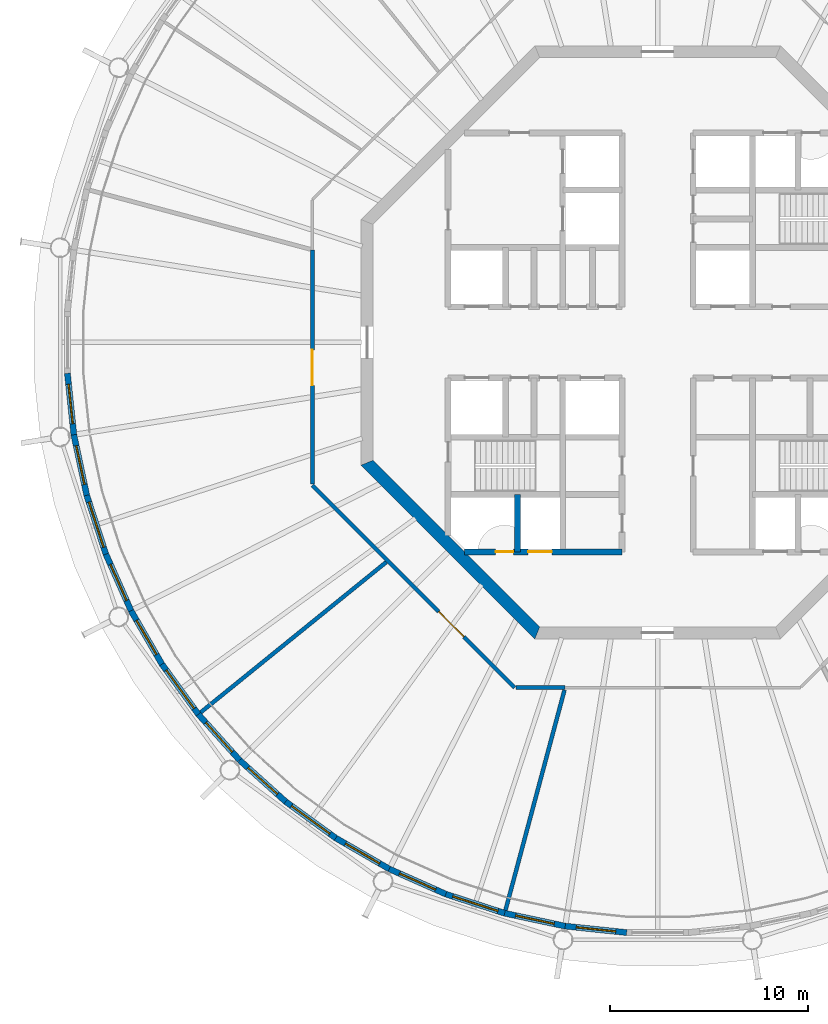
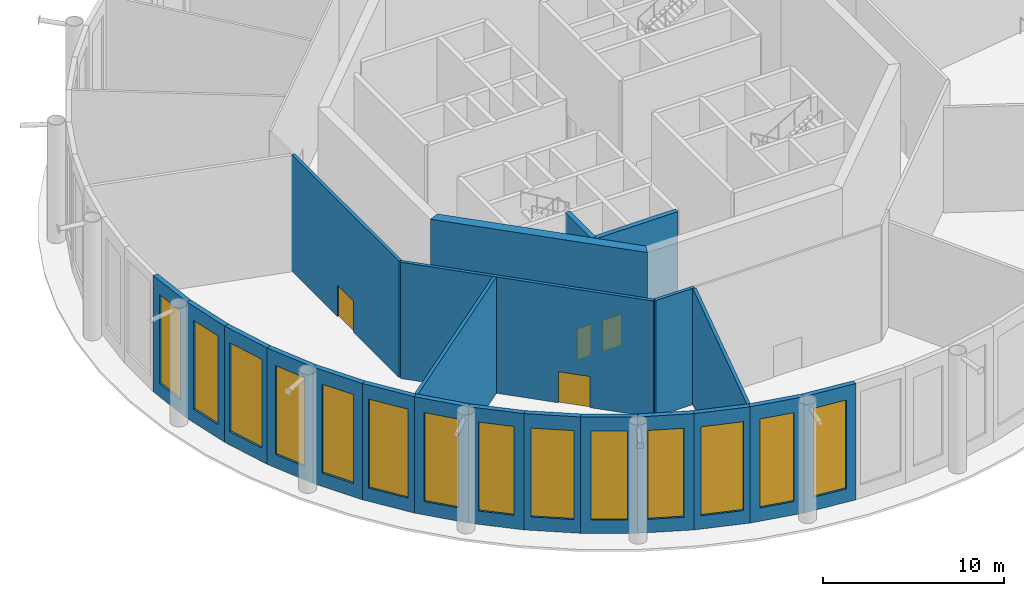
# One storey, part 3 of 17: 22 walls, 14 windows, 4 doors, 18 openings.
"""IFC4 building model written with IfcOpenShell, lengths in metres."""

from ifc_helpers import new_model, si_unit, direction, frame, frame_2d, origin, place, context, subcontext, project, spatial, polyline, rectangle, outline, extrude, material, layer, layer_set, type_object, element, fill, save


model = new_model("IFC4")

# Units and contexts
model_context = context("Model", 3, precision=1e-05, world=origin(), true_north=direction((0.0, 1.0)))
body_context = subcontext(model_context, "Body", "Model", "MODEL_VIEW")
ifc_project = project(units=[si_unit("LENGTHUNIT", "METRE"), si_unit("AREAUNIT", "SQUARE_METRE"), si_unit("VOLUMEUNIT", "CUBIC_METRE"), si_unit("PLANEANGLEUNIT", "RADIAN"), si_unit("MASSUNIT", "GRAM", prefix="KILO")], contexts=[model_context])

# Site, building, storey
site_placement = place(None, origin())
site = spatial("IfcSite", under=ifc_project, at=site_placement, CompositionType="ELEMENT")
building_placement = place(site_placement, origin())
building = spatial("IfcBuilding", under=site, at=building_placement, Name="Entoto Ring Tower", CompositionType="ELEMENT")
storey_placement = place(building_placement, frame((0.0, 0.0, 407.0)))
storey = spatial("IfcBuildingStorey", under=building, at=storey_placement, Name="L93", CompositionType="ELEMENT", Elevation=407.0)

# Wall
ifc_material_1 = material(Name="Concrete C40/50", Category="concrete")
ifc_layer_1 = layer(ifc_material_1, 0.300048828125)
ifc_layer_set_1 = layer_set([ifc_layer_1], Name="Concrete C40/50")
wall_type_1 = type_object("IfcWallType", Name="Core enclosure wall 300 mm reinforced concrete", PredefinedType="SOLIDWALL", material=ifc_layer_set_1)
wall_1_placement = place(storey_placement, frame((82.89990234375, 69.39990234375, 0.0), z_axis=(0.0, 0.0, 1.0), x_axis=(0.0, 1.0, 0.0)))
element("IfcWall", 1, at=wall_1_placement, inside=storey, type_object=wall_type_1, Name="wall-L93-017", PredefinedType="SOLIDWALL", context=body_context, shape_type="SweptSolid", body=[
    extrude(rectangle(XDim=2.900146484375, YDim=0.300048828125, at=frame_2d((1.4501953125, 0.0))), origin(), (0.0, 0.0, 1.0), 7.85009765625),
])

# Wall, openings, doors
wall_2_placement = place(storey_placement, frame((80.2353515625, 69.39990234375, 0.0), z_axis=(0.0, 0.0, 1.0), x_axis=(1.0, 0.0, 0.0)))
wall_2 = element("IfcWall", 2, at=wall_2_placement, inside=storey, type_object=wall_type_1, Name="wall-L93-022", PredefinedType="SOLIDWALL", context=body_context, shape_type="SweptSolid", body=[
    extrude(rectangle(XDim=7.964599609375, YDim=0.300048828125, at=frame_2d((3.982421875, 0.0))), origin(), (0.0, 0.0, 1.0), 7.85009765625),
])
opening_1_placement = place(wall_2_placement, frame((3.214599609375, 0.0, 0.0)))
opening_1 = element("IfcOpeningElement", 3, at=opening_1_placement, cuts=wall_2, Name="Opening LD", PredefinedType="OPENING", context=body_context, shape_type="SweptSolid", body=[
    extrude(rectangle(XDim=1.199951171875, YDim=2.10009765625, at=frame_2d((0.60009765625, 1.050048828125))), frame((0.0, 0.16015625, 0.0), z_axis=(0.0, -1.0, 0.0), x_axis=(1.0, 0.0, 0.0)), (0.0, 0.0, 1.0), 0.320068359375),
])
opening_2_placement = place(wall_2_placement, frame((1.564697265625, 0.0, 0.0)))
opening_2 = element("IfcOpeningElement", 4, at=opening_2_placement, cuts=wall_2, Name="Opening K-32", PredefinedType="OPENING", context=body_context, shape_type="SweptSolid", body=[
    extrude(rectangle(XDim=0.89990234375, YDim=2.10009765625, at=frame_2d((0.449951171875, 1.050048828125))), frame((0.0, 0.16015625, 0.0), z_axis=(0.0, -1.0, 0.0), x_axis=(1.0, 0.0, 0.0)), (0.0, 0.0, 1.0), 0.320068359375),
])
ifc_material_2 = material(Name="Steel and glass door leaf", Category="steel")
ifc_layer_2 = layer(ifc_material_2, 0.050048828125)
ifc_layer_set_2 = layer_set([ifc_layer_2], Name="Steel and glass door leaf")
door_type_1 = type_object("IfcDoorType", Name="Landing door 1200 x 2100 sliding", OperationType="DOUBLE_DOOR_SLIDING", PredefinedType="DOOR", material=ifc_layer_set_2)
door_1_placement = place(opening_1_placement, origin())
door_1 = element("IfcDoor", 5, at=door_1_placement, inside=storey, type_object=door_type_1, Name="Landing door LB3-HR", OperationType="SLIDING_TO_RIGHT", OverallHeight=2.10009765625, OverallWidth=1.199951171875, PredefinedType="DOOR", context=body_context, shape_type="SweptSolid", body=[
    extrude(rectangle(XDim=1.199951171875, YDim=2.10009765625, at=frame_2d((0.60009765625, 1.050048828125))), frame((0.0, 0.02490234375, 0.0), z_axis=(0.0, -1.0, 0.0), x_axis=(1.0, 0.0, 0.0)), (0.0, 0.0, 1.0), 0.050048828125),
])
fill(opening_1, door_1)
ifc_material_3 = material(Name="Steel door leaf, fire rated", Category="steel")
ifc_layer_3 = layer(ifc_material_3, 0.050048828125)
ifc_layer_set_3 = layer_set([ifc_layer_3], Name="Steel door leaf, fire rated")
door_type_2 = type_object("IfcDoorType", Name="Riser door FD60 900 x 2100 single leaf", OperationType="NOTDEFINED", PredefinedType="DOOR", material=ifc_layer_set_3)
door_2_placement = place(opening_2_placement, origin())
door_2 = element("IfcDoor", 6, at=door_2_placement, inside=storey, type_object=door_type_2, Name="Door K-32", OperationType="SINGLE_SWING_RIGHT", OverallHeight=2.10009765625, OverallWidth=0.89990234375, PredefinedType="DOOR", context=body_context, shape_type="SweptSolid", body=[
    extrude(rectangle(XDim=0.89990234375, YDim=2.10009765625, at=frame_2d((0.449951171875, 1.050048828125))), frame((0.0, 0.02490234375, 0.0), z_axis=(0.0, -1.0, 0.0), x_axis=(1.0, 0.0, 0.0)), (0.0, 0.0, 1.0), 0.050048828125),
])
fill(opening_2, door_2)

# Wall
ifc_material_4 = material(Name="Concrete C40/50", Category="concrete")
ifc_layer_4 = layer(ifc_material_4, 0.60009765625)
ifc_layer_set_4 = layer_set([ifc_layer_4], Name="Concrete C40/50")
wall_type_2 = type_object("IfcWallType", Name="Core shear wall 600 mm reinforced concrete C40/50 to roof parapet", PredefinedType="SHEAR", material=ifc_layer_set_4)
wall_3_placement = place(storey_placement, frame((75.300048828125, 73.9111328125, 0.0), z_axis=(0.0, 0.0, 1.0), x_axis=(0.707106781187, -0.707106781187, 0.0)))
element("IfcWall", 7, at=wall_3_placement, inside=storey, type_object=wall_type_2, Name="wall-L93-core-5", PredefinedType="SHEAR", context=body_context, shape_type="SweptSolid", body=[
    extrude(outline(polyline([(-0.124267578125, -0.300048828125), (12.30224609375, -0.300048828125), (12.0537109375, 0.300048828125), (0.124267578125, 0.300048828125), (-0.124267578125, -0.300048828125)])), origin(), (0.0, 0.0, 1.0), 9.199951171875),
])

# Wall, opening, window
ifc_material_5 = material(Name="Insulated aluminium rainscreen on steel studs", Category="steel")
ifc_layer_5 = layer(ifc_material_5, 0.300048828125)
ifc_layer_set_5 = layer_set([ifc_layer_5], Name="Insulated aluminium rainscreen on steel studs")
wall_type_3 = type_object("IfcWallType", Name="Observation facade wall 300 mm", PredefinedType="STANDARD", material=ifc_layer_set_5)
wall_4_placement = place(storey_placement, frame((60.140869140625, 78.43505859375, 0.0), z_axis=(0.0, 0.0, 1.0), x_axis=(0.10453047738, -0.994521683674, 0.0)))
wall_4 = element("IfcWall", 8, at=wall_4_placement, inside=storey, type_object=wall_type_3, Name="OBSERVATION WALL 29", PredefinedType="STANDARD", context=body_context, shape_type="SweptSolid", body=[
    extrude(outline(polyline([(-0.0078125, -0.14990234375), (3.137451171875, -0.14990234375), (3.121826171875, 0.14990234375), (0.0078125, 0.14990234375), (-0.0078125, -0.14990234375)])), origin(), (0.0, 0.0, 1.0), 7.85009765625),
])
opening_3_placement = place(wall_4_placement, frame((0.56494140625, 0.0, 0.89990234375)))
opening_3 = element("IfcOpeningElement", 9, at=opening_3_placement, cuts=wall_4, Name="Opening W2", PredefinedType="OPENING", context=body_context, shape_type="SweptSolid", body=[
    extrude(rectangle(XDim=2.0, YDim=6.0, at=frame_2d((1.0, 3.0))), frame((0.0, 0.16015625, 0.0), z_axis=(0.0, -1.0, 0.0), x_axis=(1.0, 0.0, 0.0)), (0.0, 0.0, 1.0), 0.320068359375),
])
ifc_material_6 = material(Name="Clear low-iron glass in anodised aluminium frame", Category="aluminium")
window_type_1 = type_object("IfcWindowType", Name="Observation window W2 2000 x 6000 mm fixed", PartitioningType="SINGLE_PANEL", PredefinedType="WINDOW", material=ifc_material_6)
window_1_placement = place(opening_3_placement, origin())
window_1 = element("IfcWindow", 10, at=window_1_placement, inside=storey, type_object=window_type_1, Name="OBSERVATION WINDOW 29", OverallHeight=6.0, OverallWidth=2.0, PartitioningType="SINGLE_PANEL", PredefinedType="WINDOW", context=body_context, shape_type="SweptSolid", body=[
    extrude(rectangle(XDim=2.0, YDim=6.0, at=frame_2d((1.0, 3.0))), frame((0.0, 0.030029296875, 0.0), z_axis=(0.0, -1.0, 0.0), x_axis=(1.0, 0.0, 0.0)), (0.0, 0.0, 1.0), 0.06005859375),
])
fill(opening_3, window_1)

wall_5_placement = place(storey_placement, frame((60.468017578125, 75.322509765625, 0.0), z_axis=(0.0, 0.0, 1.0), x_axis=(0.207967911336, -0.978135649005, 0.0)))
wall_5 = element("IfcWall", 11, at=wall_5_placement, inside=storey, type_object=wall_type_3, Name="OBSERVATION WALL 30", PredefinedType="STANDARD", context=body_context, shape_type="SweptSolid", body=[
    extrude(outline(polyline([(-0.0078125, -0.14990234375), (3.137451171875, -0.14990234375), (3.121826171875, 0.14990234375), (0.0078125, 0.14990234375), (-0.0078125, -0.14990234375)])), origin(), (0.0, 0.0, 1.0), 7.85009765625),
])
opening_4_placement = place(wall_5_placement, frame((0.56494140625, 0.0, 0.89990234375)))
opening_4 = element("IfcOpeningElement", 12, at=opening_4_placement, cuts=wall_5, Name="Opening W2", PredefinedType="OPENING", context=body_context, shape_type="SweptSolid", body=[
    extrude(rectangle(XDim=2.0, YDim=6.0, at=frame_2d((1.0, 3.0))), frame((0.0, 0.16015625, 0.0), z_axis=(0.0, -1.0, 0.0), x_axis=(1.0, 0.0, 0.0)), (0.0, 0.0, 1.0), 0.320068359375),
])
window_2_placement = place(opening_4_placement, origin())
window_2 = element("IfcWindow", 13, at=window_2_placement, inside=storey, type_object=window_type_1, Name="OBSERVATION WINDOW 30", OverallHeight=6.0, OverallWidth=2.0, PartitioningType="SINGLE_PANEL", PredefinedType="WINDOW", context=body_context, shape_type="SweptSolid", body=[
    extrude(rectangle(XDim=2.0, YDim=6.0, at=frame_2d((1.0, 3.0))), frame((0.0, 0.030029296875, 0.0), z_axis=(0.0, -1.0, 0.0), x_axis=(1.0, 0.0, 0.0)), (0.0, 0.0, 1.0), 0.06005859375),
])
fill(opening_4, window_2)

wall_6_placement = place(storey_placement, frame((61.118896484375, 72.26123046875, 0.0), z_axis=(0.0, 0.0, 1.0), x_axis=(0.309010219079, -0.951058717696, 0.0)))
wall_6 = element("IfcWall", 14, at=wall_6_placement, inside=storey, type_object=wall_type_3, Name="OBSERVATION WALL 31", PredefinedType="STANDARD", context=body_context, shape_type="SweptSolid", body=[
    extrude(outline(polyline([(-0.0078125, -0.14990234375), (3.13720703125, -0.14990234375), (3.12158203125, 0.14990234375), (0.0078125, 0.14990234375), (-0.0078125, -0.14990234375)])), origin(), (0.0, 0.0, 1.0), 7.85009765625),
])
opening_5_placement = place(wall_6_placement, frame((0.36474609375, 0.0, 0.89990234375)))
opening_5 = element("IfcOpeningElement", 15, at=opening_5_placement, cuts=wall_6, Name="Opening W1", PredefinedType="OPENING", context=body_context, shape_type="SweptSolid", body=[
    extrude(rectangle(XDim=2.39990234375, YDim=6.0, at=frame_2d((1.199951171875, 3.0))), frame((0.0, 0.16015625, 0.0), z_axis=(0.0, -1.0, 0.0), x_axis=(1.0, 0.0, 0.0)), (0.0, 0.0, 1.0), 0.320068359375),
])
ifc_material_7 = material(Name="Clear low-iron glass in anodised aluminium frame", Category="aluminium")
window_type_2 = type_object("IfcWindowType", Name="Observation window W1 2400 x 6000 mm fixed", PartitioningType="SINGLE_PANEL", PredefinedType="WINDOW", material=ifc_material_7)
window_3_placement = place(opening_5_placement, origin())
window_3 = element("IfcWindow", 16, at=window_3_placement, inside=storey, type_object=window_type_2, Name="OBSERVATION WINDOW 31", OverallHeight=6.0, OverallWidth=2.39990234375, PartitioningType="SINGLE_PANEL", PredefinedType="WINDOW", context=body_context, shape_type="SweptSolid", body=[
    extrude(rectangle(XDim=2.39990234375, YDim=6.0, at=frame_2d((1.199951171875, 3.0))), frame((0.0, 0.030029296875, 0.0), z_axis=(0.0, -1.0, 0.0), x_axis=(1.0, 0.0, 0.0)), (0.0, 0.0, 1.0), 0.06005859375),
])
fill(opening_5, window_3)

wall_7_placement = place(storey_placement, frame((62.0859375, 69.284912109375, 0.0), z_axis=(0.0, 0.0, 1.0), x_axis=(0.406731881889, -0.913547577445, 0.0)))
wall_7 = element("IfcWall", 17, at=wall_7_placement, inside=storey, type_object=wall_type_3, Name="OBSERVATION WALL 32", PredefinedType="STANDARD", context=body_context, shape_type="SweptSolid", body=[
    extrude(outline(polyline([(-0.0078125, -0.14990234375), (3.137451171875, -0.14990234375), (3.121826171875, 0.14990234375), (0.0078125, 0.14990234375), (-0.0078125, -0.14990234375)])), origin(), (0.0, 0.0, 1.0), 7.85009765625),
])
opening_6_placement = place(wall_7_placement, frame((0.56494140625, 0.0, 0.89990234375)))
opening_6 = element("IfcOpeningElement", 18, at=opening_6_placement, cuts=wall_7, Name="Opening W2", PredefinedType="OPENING", context=body_context, shape_type="SweptSolid", body=[
    extrude(rectangle(XDim=2.0, YDim=6.0, at=frame_2d((1.0, 3.0))), frame((0.0, 0.16015625, 0.0), z_axis=(0.0, -1.0, 0.0), x_axis=(1.0, 0.0, 0.0)), (0.0, 0.0, 1.0), 0.320068359375),
])
window_4_placement = place(opening_6_placement, origin())
window_4 = element("IfcWindow", 19, at=window_4_placement, inside=storey, type_object=window_type_1, Name="OBSERVATION WINDOW 32", OverallHeight=6.0, OverallWidth=2.0, PartitioningType="SINGLE_PANEL", PredefinedType="WINDOW", context=body_context, shape_type="SweptSolid", body=[
    extrude(rectangle(XDim=2.0, YDim=6.0, at=frame_2d((1.0, 3.0))), frame((0.0, 0.030029296875, 0.0), z_axis=(0.0, -1.0, 0.0), x_axis=(1.0, 0.0, 0.0)), (0.0, 0.0, 1.0), 0.06005859375),
])
fill(opening_6, window_4)

wall_8_placement = place(storey_placement, frame((63.35888671875, 66.42578125, 0.0), z_axis=(0.0, 0.0, 1.0), x_axis=(0.5000150537, -0.866016712352, 0.0)))
wall_8 = element("IfcWall", 20, at=wall_8_placement, inside=storey, type_object=wall_type_3, Name="OBSERVATION WALL 33", PredefinedType="STANDARD", context=body_context, shape_type="SweptSolid", body=[
    extrude(outline(polyline([(-0.0078125, -0.14990234375), (3.1376953125, -0.14990234375), (3.1220703125, 0.14990234375), (0.0078125, 0.14990234375), (-0.0078125, -0.14990234375)])), origin(), (0.0, 0.0, 1.0), 7.85009765625),
])
opening_7_placement = place(wall_8_placement, frame((0.56494140625, 0.0, 0.89990234375)))
opening_7 = element("IfcOpeningElement", 21, at=opening_7_placement, cuts=wall_8, Name="Opening W2", PredefinedType="OPENING", context=body_context, shape_type="SweptSolid", body=[
    extrude(rectangle(XDim=2.0, YDim=6.0, at=frame_2d((1.0, 3.0))), frame((0.0, 0.16015625, 0.0), z_axis=(0.0, -1.0, 0.0), x_axis=(1.0, 0.0, 0.0)), (0.0, 0.0, 1.0), 0.320068359375),
])
window_5_placement = place(opening_7_placement, origin())
window_5 = element("IfcWindow", 22, at=window_5_placement, inside=storey, type_object=window_type_1, Name="OBSERVATION WINDOW 33", OverallHeight=6.0, OverallWidth=2.0, PartitioningType="SINGLE_PANEL", PredefinedType="WINDOW", context=body_context, shape_type="SweptSolid", body=[
    extrude(rectangle(XDim=2.0, YDim=6.0, at=frame_2d((1.0, 3.0))), frame((0.0, 0.030029296875, 0.0), z_axis=(0.0, -1.0, 0.0), x_axis=(1.0, 0.0, 0.0)), (0.0, 0.0, 1.0), 0.06005859375),
])
fill(opening_7, window_5)

wall_9_placement = place(storey_placement, frame((64.923828125, 63.71533203125, 0.0), z_axis=(0.0, 0.0, 1.0), x_axis=(0.587786653389, -0.809015976417, 0.0)))
wall_9 = element("IfcWall", 23, at=wall_9_placement, inside=storey, type_object=wall_type_3, Name="OBSERVATION WALL 34", PredefinedType="STANDARD", context=body_context, shape_type="SweptSolid", body=[
    extrude(outline(polyline([(-0.0078125, -0.14990234375), (3.137451171875, -0.14990234375), (3.121826171875, 0.14990234375), (0.0078125, 0.14990234375), (-0.0078125, -0.14990234375)])), origin(), (0.0, 0.0, 1.0), 7.85009765625),
])
opening_8_placement = place(wall_9_placement, frame((0.36474609375, 0.0, 0.89990234375)))
opening_8 = element("IfcOpeningElement", 24, at=opening_8_placement, cuts=wall_9, Name="Opening W1", PredefinedType="OPENING", context=body_context, shape_type="SweptSolid", body=[
    extrude(rectangle(XDim=2.39990234375, YDim=6.0, at=frame_2d((1.199951171875, 3.0))), frame((0.0, 0.16015625, 0.0), z_axis=(0.0, -1.0, 0.0), x_axis=(1.0, 0.0, 0.0)), (0.0, 0.0, 1.0), 0.320068359375),
])
window_6_placement = place(opening_8_placement, origin())
window_6 = element("IfcWindow", 25, at=window_6_placement, inside=storey, type_object=window_type_2, Name="OBSERVATION WINDOW 34", OverallHeight=6.0, OverallWidth=2.39990234375, PartitioningType="SINGLE_PANEL", PredefinedType="WINDOW", context=body_context, shape_type="SweptSolid", body=[
    extrude(rectangle(XDim=2.39990234375, YDim=6.0, at=frame_2d((1.199951171875, 3.0))), frame((0.0, 0.030029296875, 0.0), z_axis=(0.0, -1.0, 0.0), x_axis=(1.0, 0.0, 0.0)), (0.0, 0.0, 1.0), 0.06005859375),
])
fill(opening_8, window_6)

wall_10_placement = place(storey_placement, frame((66.763427734375, 61.183349609375, 0.0), z_axis=(0.0, 0.0, 1.0), x_axis=(0.669081090075, -0.743189407153, 0.0)))
wall_10 = element("IfcWall", 26, at=wall_10_placement, inside=storey, type_object=wall_type_3, Name="OBSERVATION WALL 35", PredefinedType="STANDARD", context=body_context, shape_type="SweptSolid", body=[
    extrude(outline(polyline([(-0.0078125, -0.14990234375), (3.137451171875, -0.14990234375), (3.121826171875, 0.14990234375), (0.0078125, 0.14990234375), (-0.0078125, -0.14990234375)])), origin(), (0.0, 0.0, 1.0), 7.85009765625),
])
opening_9_placement = place(wall_10_placement, frame((0.56494140625, 0.0, 0.89990234375)))
opening_9 = element("IfcOpeningElement", 27, at=opening_9_placement, cuts=wall_10, Name="Opening W2", PredefinedType="OPENING", context=body_context, shape_type="SweptSolid", body=[
    extrude(rectangle(XDim=2.0, YDim=6.0, at=frame_2d((1.0, 3.0))), frame((0.0, 0.16015625, 0.0), z_axis=(0.0, -1.0, 0.0), x_axis=(1.0, 0.0, 0.0)), (0.0, 0.0, 1.0), 0.320068359375),
])
window_7_placement = place(opening_9_placement, origin())
window_7 = element("IfcWindow", 28, at=window_7_placement, inside=storey, type_object=window_type_1, Name="OBSERVATION WINDOW 35", OverallHeight=6.0, OverallWidth=2.0, PartitioningType="SINGLE_PANEL", PredefinedType="WINDOW", context=body_context, shape_type="SweptSolid", body=[
    extrude(rectangle(XDim=2.0, YDim=6.0, at=frame_2d((1.0, 3.0))), frame((0.0, 0.030029296875, 0.0), z_axis=(0.0, -1.0, 0.0), x_axis=(1.0, 0.0, 0.0)), (0.0, 0.0, 1.0), 0.06005859375),
])
fill(opening_9, window_7)

wall_11_placement = place(storey_placement, frame((68.857421875, 58.857421875, 0.0), z_axis=(0.0, 0.0, 1.0), x_axis=(0.743189407153, -0.669081090075, 0.0)))
wall_11 = element("IfcWall", 29, at=wall_11_placement, inside=storey, type_object=wall_type_3, Name="OBSERVATION WALL 36", PredefinedType="STANDARD", context=body_context, shape_type="SweptSolid", body=[
    extrude(outline(polyline([(-0.0078125, -0.14990234375), (3.137451171875, -0.14990234375), (3.121826171875, 0.14990234375), (0.0078125, 0.14990234375), (-0.0078125, -0.14990234375)])), origin(), (0.0, 0.0, 1.0), 7.85009765625),
])
opening_10_placement = place(wall_11_placement, frame((0.56494140625, 0.0, 0.89990234375)))
opening_10 = element("IfcOpeningElement", 30, at=opening_10_placement, cuts=wall_11, Name="Opening W2", PredefinedType="OPENING", context=body_context, shape_type="SweptSolid", body=[
    extrude(rectangle(XDim=2.0, YDim=6.0, at=frame_2d((1.0, 3.0))), frame((0.0, 0.16015625, 0.0), z_axis=(0.0, -1.0, 0.0), x_axis=(1.0, 0.0, 0.0)), (0.0, 0.0, 1.0), 0.320068359375),
])
window_8_placement = place(opening_10_placement, origin())
window_8 = element("IfcWindow", 31, at=window_8_placement, inside=storey, type_object=window_type_1, Name="OBSERVATION WINDOW 36", OverallHeight=6.0, OverallWidth=2.0, PartitioningType="SINGLE_PANEL", PredefinedType="WINDOW", context=body_context, shape_type="SweptSolid", body=[
    extrude(rectangle(XDim=2.0, YDim=6.0, at=frame_2d((1.0, 3.0))), frame((0.0, 0.030029296875, 0.0), z_axis=(0.0, -1.0, 0.0), x_axis=(1.0, 0.0, 0.0)), (0.0, 0.0, 1.0), 0.06005859375),
])
fill(opening_10, window_8)

wall_12_placement = place(storey_placement, frame((71.183349609375, 56.763427734375, 0.0), z_axis=(0.0, 0.0, 1.0), x_axis=(0.809015976417, -0.587786653389, 0.0)))
wall_12 = element("IfcWall", 32, at=wall_12_placement, inside=storey, type_object=wall_type_3, Name="OBSERVATION WALL 37", PredefinedType="STANDARD", context=body_context, shape_type="SweptSolid", body=[
    extrude(outline(polyline([(-0.0078125, -0.14990234375), (3.137451171875, -0.14990234375), (3.121826171875, 0.14990234375), (0.0078125, 0.14990234375), (-0.0078125, -0.14990234375)])), origin(), (0.0, 0.0, 1.0), 7.85009765625),
])
opening_11_placement = place(wall_12_placement, frame((0.36474609375, 0.0, 0.89990234375)))
opening_11 = element("IfcOpeningElement", 33, at=opening_11_placement, cuts=wall_12, Name="Opening W1", PredefinedType="OPENING", context=body_context, shape_type="SweptSolid", body=[
    extrude(rectangle(XDim=2.39990234375, YDim=6.0, at=frame_2d((1.199951171875, 3.0))), frame((0.0, 0.16015625, 0.0), z_axis=(0.0, -1.0, 0.0), x_axis=(1.0, 0.0, 0.0)), (0.0, 0.0, 1.0), 0.320068359375),
])
window_9_placement = place(opening_11_placement, origin())
window_9 = element("IfcWindow", 34, at=window_9_placement, inside=storey, type_object=window_type_2, Name="OBSERVATION WINDOW 37", OverallHeight=6.0, OverallWidth=2.39990234375, PartitioningType="SINGLE_PANEL", PredefinedType="WINDOW", context=body_context, shape_type="SweptSolid", body=[
    extrude(rectangle(XDim=2.39990234375, YDim=6.0, at=frame_2d((1.199951171875, 3.0))), frame((0.0, 0.030029296875, 0.0), z_axis=(0.0, -1.0, 0.0), x_axis=(1.0, 0.0, 0.0)), (0.0, 0.0, 1.0), 0.06005859375),
])
fill(opening_11, window_9)

wall_13_placement = place(storey_placement, frame((73.71533203125, 54.923828125, 0.0), z_axis=(0.0, 0.0, 1.0), x_axis=(0.866016712352, -0.5000150537, 0.0)))
wall_13 = element("IfcWall", 35, at=wall_13_placement, inside=storey, type_object=wall_type_3, Name="OBSERVATION WALL 38", PredefinedType="STANDARD", context=body_context, shape_type="SweptSolid", body=[
    extrude(outline(polyline([(-0.0078125, -0.14990234375), (3.1376953125, -0.14990234375), (3.1220703125, 0.14990234375), (0.0078125, 0.14990234375), (-0.0078125, -0.14990234375)])), origin(), (0.0, 0.0, 1.0), 7.85009765625),
])
opening_12_placement = place(wall_13_placement, frame((0.56494140625, 0.0, 0.89990234375)))
opening_12 = element("IfcOpeningElement", 36, at=opening_12_placement, cuts=wall_13, Name="Opening W2", PredefinedType="OPENING", context=body_context, shape_type="SweptSolid", body=[
    extrude(rectangle(XDim=2.0, YDim=6.0, at=frame_2d((1.0, 3.0))), frame((0.0, 0.16015625, 0.0), z_axis=(0.0, -1.0, 0.0), x_axis=(1.0, 0.0, 0.0)), (0.0, 0.0, 1.0), 0.320068359375),
])
window_10_placement = place(opening_12_placement, origin())
window_10 = element("IfcWindow", 37, at=window_10_placement, inside=storey, type_object=window_type_1, Name="OBSERVATION WINDOW 38", OverallHeight=6.0, OverallWidth=2.0, PartitioningType="SINGLE_PANEL", PredefinedType="WINDOW", context=body_context, shape_type="SweptSolid", body=[
    extrude(rectangle(XDim=2.0, YDim=6.0, at=frame_2d((1.0, 3.0))), frame((0.0, 0.030029296875, 0.0), z_axis=(0.0, -1.0, 0.0), x_axis=(1.0, 0.0, 0.0)), (0.0, 0.0, 1.0), 0.06005859375),
])
fill(opening_12, window_10)

wall_14_placement = place(storey_placement, frame((76.42578125, 53.35888671875, 0.0), z_axis=(0.0, 0.0, 1.0), x_axis=(0.913547577445, -0.406731881889, 0.0)))
wall_14 = element("IfcWall", 38, at=wall_14_placement, inside=storey, type_object=wall_type_3, Name="OBSERVATION WALL 39", PredefinedType="STANDARD", context=body_context, shape_type="SweptSolid", body=[
    extrude(outline(polyline([(-0.0078125, -0.14990234375), (3.137451171875, -0.14990234375), (3.121826171875, 0.14990234375), (0.0078125, 0.14990234375), (-0.0078125, -0.14990234375)])), origin(), (0.0, 0.0, 1.0), 7.85009765625),
])
opening_13_placement = place(wall_14_placement, frame((0.56494140625, 0.0, 0.89990234375)))
opening_13 = element("IfcOpeningElement", 39, at=opening_13_placement, cuts=wall_14, Name="Opening W2", PredefinedType="OPENING", context=body_context, shape_type="SweptSolid", body=[
    extrude(rectangle(XDim=2.0, YDim=6.0, at=frame_2d((1.0, 3.0))), frame((0.0, 0.16015625, 0.0), z_axis=(0.0, -1.0, 0.0), x_axis=(1.0, 0.0, 0.0)), (0.0, 0.0, 1.0), 0.320068359375),
])
window_11_placement = place(opening_13_placement, origin())
window_11 = element("IfcWindow", 40, at=window_11_placement, inside=storey, type_object=window_type_1, Name="OBSERVATION WINDOW 39", OverallHeight=6.0, OverallWidth=2.0, PartitioningType="SINGLE_PANEL", PredefinedType="WINDOW", context=body_context, shape_type="SweptSolid", body=[
    extrude(rectangle(XDim=2.0, YDim=6.0, at=frame_2d((1.0, 3.0))), frame((0.0, 0.030029296875, 0.0), z_axis=(0.0, -1.0, 0.0), x_axis=(1.0, 0.0, 0.0)), (0.0, 0.0, 1.0), 0.06005859375),
])
fill(opening_13, window_11)

wall_15_placement = place(storey_placement, frame((79.284912109375, 52.0859375, 0.0), z_axis=(0.0, 0.0, 1.0), x_axis=(0.951058717696, -0.309010219079, 0.0)))
wall_15 = element("IfcWall", 41, at=wall_15_placement, inside=storey, type_object=wall_type_3, Name="OBSERVATION WALL 40", PredefinedType="STANDARD", context=body_context, shape_type="SweptSolid", body=[
    extrude(outline(polyline([(-0.0078125, -0.14990234375), (3.13720703125, -0.14990234375), (3.12158203125, 0.14990234375), (0.0078125, 0.14990234375), (-0.0078125, -0.14990234375)])), origin(), (0.0, 0.0, 1.0), 7.85009765625),
])
opening_14_placement = place(wall_15_placement, frame((0.36474609375, 0.0, 0.89990234375)))
opening_14 = element("IfcOpeningElement", 42, at=opening_14_placement, cuts=wall_15, Name="Opening W1", PredefinedType="OPENING", context=body_context, shape_type="SweptSolid", body=[
    extrude(rectangle(XDim=2.39990234375, YDim=6.0, at=frame_2d((1.199951171875, 3.0))), frame((0.0, 0.16015625, 0.0), z_axis=(0.0, -1.0, 0.0), x_axis=(1.0, 0.0, 0.0)), (0.0, 0.0, 1.0), 0.320068359375),
])
window_12_placement = place(opening_14_placement, origin())
window_12 = element("IfcWindow", 43, at=window_12_placement, inside=storey, type_object=window_type_2, Name="OBSERVATION WINDOW 40", OverallHeight=6.0, OverallWidth=2.39990234375, PartitioningType="SINGLE_PANEL", PredefinedType="WINDOW", context=body_context, shape_type="SweptSolid", body=[
    extrude(rectangle(XDim=2.39990234375, YDim=6.0, at=frame_2d((1.199951171875, 3.0))), frame((0.0, 0.030029296875, 0.0), z_axis=(0.0, -1.0, 0.0), x_axis=(1.0, 0.0, 0.0)), (0.0, 0.0, 1.0), 0.06005859375),
])
fill(opening_14, window_12)

wall_16_placement = place(storey_placement, frame((82.26123046875, 51.118896484375, 0.0), z_axis=(0.0, 0.0, 1.0), x_axis=(0.978135649005, -0.207967911336, 0.0)))
wall_16 = element("IfcWall", 44, at=wall_16_placement, inside=storey, type_object=wall_type_3, Name="OBSERVATION WALL 41", PredefinedType="STANDARD", context=body_context, shape_type="SweptSolid", body=[
    extrude(outline(polyline([(-0.0078125, -0.14990234375), (3.137451171875, -0.14990234375), (3.121826171875, 0.14990234375), (0.0078125, 0.14990234375), (-0.0078125, -0.14990234375)])), origin(), (0.0, 0.0, 1.0), 7.85009765625),
])
opening_15_placement = place(wall_16_placement, frame((0.56494140625, 0.0, 0.89990234375)))
opening_15 = element("IfcOpeningElement", 45, at=opening_15_placement, cuts=wall_16, Name="Opening W2", PredefinedType="OPENING", context=body_context, shape_type="SweptSolid", body=[
    extrude(rectangle(XDim=2.0, YDim=6.0, at=frame_2d((1.0, 3.0))), frame((0.0, 0.16015625, 0.0), z_axis=(0.0, -1.0, 0.0), x_axis=(1.0, 0.0, 0.0)), (0.0, 0.0, 1.0), 0.320068359375),
])
window_13_placement = place(opening_15_placement, origin())
window_13 = element("IfcWindow", 46, at=window_13_placement, inside=storey, type_object=window_type_1, Name="OBSERVATION WINDOW 41", OverallHeight=6.0, OverallWidth=2.0, PartitioningType="SINGLE_PANEL", PredefinedType="WINDOW", context=body_context, shape_type="SweptSolid", body=[
    extrude(rectangle(XDim=2.0, YDim=6.0, at=frame_2d((1.0, 3.0))), frame((0.0, 0.030029296875, 0.0), z_axis=(0.0, -1.0, 0.0), x_axis=(1.0, 0.0, 0.0)), (0.0, 0.0, 1.0), 0.06005859375),
])
fill(opening_15, window_13)

wall_17_placement = place(storey_placement, frame((85.322509765625, 50.468017578125, 0.0), z_axis=(0.0, 0.0, 1.0), x_axis=(0.994521683674, -0.10453047738, 0.0)))
wall_17 = element("IfcWall", 47, at=wall_17_placement, inside=storey, type_object=wall_type_3, Name="OBSERVATION WALL 42", PredefinedType="STANDARD", context=body_context, shape_type="SweptSolid", body=[
    extrude(outline(polyline([(-0.0078125, -0.14990234375), (3.137451171875, -0.14990234375), (3.121826171875, 0.14990234375), (0.0078125, 0.14990234375), (-0.0078125, -0.14990234375)])), origin(), (0.0, 0.0, 1.0), 7.85009765625),
])
opening_16_placement = place(wall_17_placement, frame((0.56494140625, 0.0, 0.89990234375)))
opening_16 = element("IfcOpeningElement", 48, at=opening_16_placement, cuts=wall_17, Name="Opening W2", PredefinedType="OPENING", context=body_context, shape_type="SweptSolid", body=[
    extrude(rectangle(XDim=2.0, YDim=6.0, at=frame_2d((1.0, 3.0))), frame((0.0, 0.16015625, 0.0), z_axis=(0.0, -1.0, 0.0), x_axis=(1.0, 0.0, 0.0)), (0.0, 0.0, 1.0), 0.320068359375),
])
window_14_placement = place(opening_16_placement, origin())
window_14 = element("IfcWindow", 49, at=window_14_placement, inside=storey, type_object=window_type_1, Name="OBSERVATION WINDOW 42", OverallHeight=6.0, OverallWidth=2.0, PartitioningType="SINGLE_PANEL", PredefinedType="WINDOW", context=body_context, shape_type="SweptSolid", body=[
    extrude(rectangle(XDim=2.0, YDim=6.0, at=frame_2d((1.0, 3.0))), frame((0.0, 0.030029296875, 0.0), z_axis=(0.0, -1.0, 0.0), x_axis=(1.0, 0.0, 0.0)), (0.0, 0.0, 1.0), 0.06005859375),
])
fill(opening_16, window_14)

# Wall, opening, door
ifc_material_8 = material(Name="Concrete C20/25", Category="concrete")
ifc_layer_6 = layer(ifc_material_8, 0.199951171875)
ifc_layer_set_6 = layer_set([ifc_layer_6], Name="Concrete C20/25")
wall_type_4 = type_object("IfcWallType", Name="Plant room wall 200 mm two-hour concrete", PredefinedType="PARTITIONING", material=ifc_layer_set_6)
wall_18_placement = place(storey_placement, frame((82.766845703125, 62.53759765625, 0.0), z_axis=(0.0, 0.0, 1.0), x_axis=(-0.707106781187, 0.707106781187, 0.0)))
wall_18 = element("IfcWall", 50, at=wall_18_placement, inside=storey, type_object=wall_type_4, Name="partition-L93-014", PredefinedType="PARTITIONING", context=body_context, shape_type="SweptSolid", body=[
    extrude(rectangle(XDim=14.46630859375, YDim=0.199951171875, at=frame_2d((7.233154296875, 0.0))), origin(), (0.0, 0.0, 1.0), 7.85009765625),
])
opening_17_placement = place(wall_18_placement, frame((3.63427734375, 0.0, 0.0)))
opening_17 = element("IfcOpeningElement", 51, at=opening_17_placement, cuts=wall_18, Name="Opening A41-D09", PredefinedType="OPENING", context=body_context, shape_type="SweptSolid", body=[
    extrude(rectangle(XDim=1.800048828125, YDim=2.10009765625, at=frame_2d((0.89990234375, 1.050048828125))), frame((0.0, 0.10986328125, 0.0), z_axis=(0.0, -1.0, 0.0), x_axis=(1.0, 0.0, 0.0)), (0.0, 0.0, 1.0), 0.219970703125),
])
ifc_material_9 = material(Name="Fire-resisting steel door set", Category="steel")
door_type_3 = type_object("IfcDoorType", Name="Door 1800 x 2100 double leaf FD60 steel door", OperationType="DOUBLE_DOOR_SINGLE_SWING", PredefinedType="DOOR", material=ifc_material_9)
door_3_placement = place(opening_17_placement, origin())
door_3 = element("IfcDoor", 52, at=door_3_placement, inside=storey, type_object=door_type_3, Name="Door A41-D09", OperationType="DOUBLE_DOOR_SINGLE_SWING", OverallHeight=2.10009765625, OverallWidth=1.800048828125, PredefinedType="DOOR", context=body_context, shape_type="SweptSolid", body=[
    extrude(rectangle(XDim=1.800048828125, YDim=2.10009765625, at=frame_2d((0.89990234375, 1.050048828125))), frame((0.0, 0.02490234375, 0.0), z_axis=(0.0, -1.0, 0.0), x_axis=(1.0, 0.0, 0.0)), (0.0, 0.0, 1.0), 0.050048828125),
])
fill(opening_17, door_3)

# Wall
wall_19_placement = place(storey_placement, frame((66.732177734375, 61.158203125, 0.0), z_axis=(0.0, 0.0, 1.0), x_axis=(0.777149411599, 0.629316130456, 0.0)))
element("IfcWall", 53, at=wall_19_placement, inside=storey, type_object=wall_type_4, Name="partition-L93-016", PredefinedType="PARTITIONING", context=body_context, shape_type="SweptSolid", body=[
    extrude(rectangle(XDim=12.270263671875, YDim=0.199951171875, at=frame_2d((6.13525390625, 0.0))), origin(), (0.0, 0.0, 1.0), 7.85009765625),
])

# Wall, opening, door
wall_20_placement = place(storey_placement, frame((72.53759765625, 72.83740234375, 0.0), z_axis=(0.0, 0.0, 1.0), x_axis=(0.0, 1.0, 0.0)))
wall_20 = element("IfcWall", 54, at=wall_20_placement, inside=storey, type_object=wall_type_4, Name="partition-L93-018", PredefinedType="PARTITIONING", context=body_context, shape_type="SweptSolid", body=[
    extrude(rectangle(XDim=11.841796875, YDim=0.199951171875, at=frame_2d((5.9208984375, 0.0))), origin(), (0.0, 0.0, 1.0), 7.85009765625),
])
opening_18_placement = place(wall_20_placement, frame((4.985595703125, 0.0, 0.0)))
opening_18 = element("IfcOpeningElement", 55, at=opening_18_placement, cuts=wall_20, Name="Opening A41-D08", PredefinedType="OPENING", context=body_context, shape_type="SweptSolid", body=[
    extrude(rectangle(XDim=1.800048828125, YDim=2.10009765625, at=frame_2d((0.89990234375, 1.050048828125))), frame((0.0, 0.10986328125, 0.0), z_axis=(0.0, -1.0, 0.0), x_axis=(1.0, 0.0, 0.0)), (0.0, 0.0, 1.0), 0.219970703125),
])
door_4_placement = place(opening_18_placement, origin())
door_4 = element("IfcDoor", 56, at=door_4_placement, inside=storey, type_object=door_type_3, Name="Door A41-D08", OperationType="DOUBLE_DOOR_SINGLE_SWING", OverallHeight=2.10009765625, OverallWidth=1.800048828125, PredefinedType="DOOR", context=body_context, shape_type="SweptSolid", body=[
    extrude(rectangle(XDim=1.800048828125, YDim=2.10009765625, at=frame_2d((0.89990234375, 1.050048828125))), frame((0.0, 0.02490234375, 0.0), z_axis=(0.0, -1.0, 0.0), x_axis=(1.0, 0.0, 0.0)), (0.0, 0.0, 1.0), 0.050048828125),
])
fill(opening_18, door_4)

# Walls
wall_21_placement = place(storey_placement, frame((82.2509765625, 51.080078125, 0.0), z_axis=(0.0, 0.0, 1.0), x_axis=(0.258807514887, 0.965928915727, 0.0)))
element("IfcWall", 57, at=wall_21_placement, inside=storey, type_object=wall_type_4, Name="partition-L93-020", PredefinedType="PARTITIONING", context=body_context, shape_type="SweptSolid", body=[
    extrude(rectangle(XDim=11.731201171875, YDim=0.199951171875, at=frame_2d((5.86572265625, 0.0))), origin(), (0.0, 0.0, 1.0), 7.85009765625),
])
wall_22_placement = place(storey_placement, frame((82.83740234375, 62.53759765625, 0.0), z_axis=(0.0, 0.0, 1.0), x_axis=(1.0, 0.0, 0.0)))
element("IfcWall", 58, at=wall_22_placement, inside=storey, type_object=wall_type_4, Name="partition-L93-024", PredefinedType="PARTITIONING", context=body_context, shape_type="SweptSolid", body=[
    extrude(rectangle(XDim=2.4833984375, YDim=0.199951171875, at=frame_2d((1.24169921875, 0.0))), origin(), (0.0, 0.0, 1.0), 7.85009765625),
])

save(model, "model.ifc")
